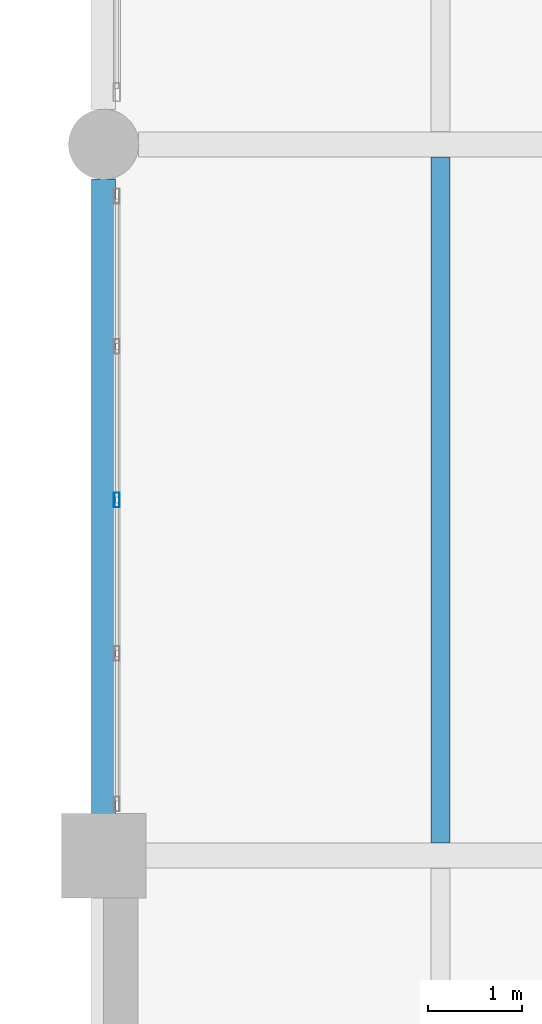
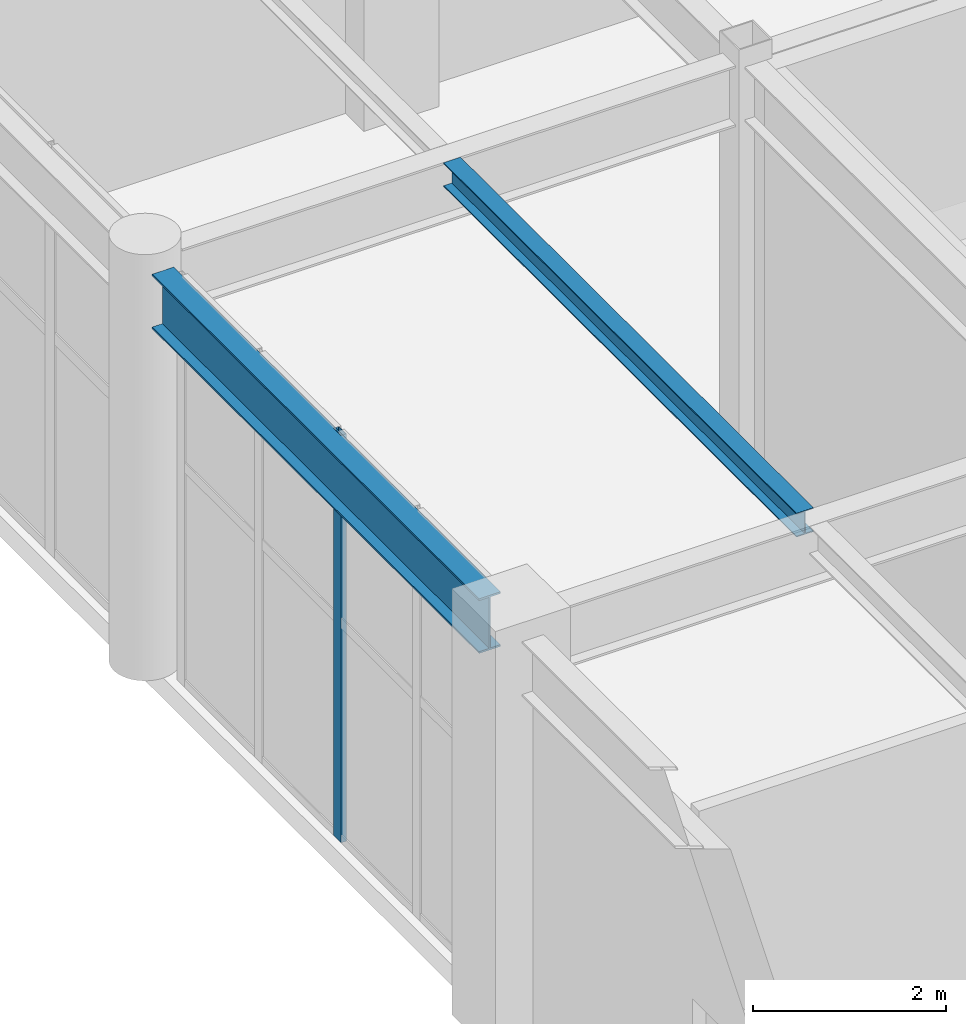
# One storey, part 41 of 139: 2 beams, 1 member, 1 element without a shape of its own.
"""IFC4 building model written with IfcOpenShell, lengths in metres."""

from ifc_helpers import new_model, si_unit, direction, frame, origin, origin_2d, place, context, subcontext, project, spatial, hollow_rectangle, i_section, extrude, material, layer, layer_set, material_profile, profile_set, type_object, element, aggregate, save


model = new_model("IFC4")

# Units and contexts
model_context = context("Model", 3, precision=1e-05, world=origin(), true_north=direction((0.0, 1.0)))
body_context = subcontext(model_context, "Body", "Model", "MODEL_VIEW")
ifc_project = project(units=[si_unit("LENGTHUNIT", "METRE"), si_unit("AREAUNIT", "SQUARE_METRE"), si_unit("VOLUMEUNIT", "CUBIC_METRE"), si_unit("PLANEANGLEUNIT", "RADIAN"), si_unit("MASSUNIT", "GRAM", prefix="KILO")], contexts=[model_context])

# Site, building, storey
site_placement = place(None, origin())
site = spatial("IfcSite", under=ifc_project, at=site_placement, CompositionType="ELEMENT")
building_placement = place(site_placement, origin())
building = spatial("IfcBuilding", under=site, at=building_placement, Name="Xicomal Pleat Aquarium", CompositionType="ELEMENT")
storey_placement = place(building_placement, origin())
storey = spatial("IfcBuildingStorey", under=building, at=storey_placement, Name="L01", CompositionType="ELEMENT", Elevation=0.0)

# Beams
ifc_material_1 = material(Name="Structural steel A992 Gr 50", Category="steel")
ifc_material_profile_1 = material_profile(ifc_material_1, i_section(OverallWidth=0.202880859375, OverallDepth=0.302978515625, WebThickness=0.007568359375, FlangeThickness=0.01318359375, at=origin_2d()), Name="IR 310x60")
ifc_profile_set_1 = profile_set([ifc_material_profile_1], Name="Structural steel A992 Gr 50")
beam_type_1 = type_object("IfcBeamType", Name="BM-STL-IR310", PredefinedType="JOIST", material=ifc_profile_set_1)
beam_1_placement = place(storey_placement, frame((6.60009765625, 68.537109375, 5.008544921875), z_axis=(0.0, 1.0, 0.0), x_axis=(-1.0, 0.0, 0.0)))
element("IfcBeam", 1, at=beam_1_placement, inside=storey, type_object=beam_type_1, Name="L01 framing beam FBJ-L01-01-K-1", PredefinedType="JOIST", context=body_context, shape_type="SweptSolid", body=[
    extrude(i_section(OverallWidth=0.202880859375, OverallDepth=0.302978515625, WebThickness=0.007568359375, FlangeThickness=0.01318359375, at=origin_2d()), origin(), (0.0, 0.0, 1.0), 7.325927734375),
])
ifc_material_2 = material(Name="Structural steel A992 Gr 50", Category="steel")
ifc_material_profile_2 = material_profile(ifc_material_2, i_section(OverallWidth=0.256103515625, OverallDepth=0.693115234375, WebThickness=0.014404296875, FlangeThickness=0.023681640625, at=origin_2d()), Name="IR 690x170")
ifc_profile_set_2 = profile_set([ifc_material_profile_2], Name="Structural steel A992 Gr 50")
beam_type_2 = type_object("IfcBeamType", Name="BM-STL-IR690", PredefinedType="BEAM", material=ifc_profile_set_2)
beam_2_placement = place(storey_placement, frame((3.0, 68.844970703125, 4.8134765625), z_axis=(0.0, 1.0, 0.0), x_axis=(-1.0, 0.0, 0.0)))
element("IfcBeam", 2, at=beam_2_placement, inside=storey, type_object=beam_type_2, Name="L01 framing beam FGY-L01-01-K-L", PredefinedType="BEAM", context=body_context, shape_type="SweptSolid", body=[
    extrude(i_section(OverallWidth=0.256103515625, OverallDepth=0.693115234375, WebThickness=0.014404296875, FlangeThickness=0.023681640625, at=origin_2d()), origin(), (0.0, 0.0, 1.0), 6.784912109375),
])

# Curtain wall, member
ifc_material_3 = material(Name="Bronze anodized aluminium 6063-T6", Category="aluminium")
ifc_layer = layer(ifc_material_3, 0.159912109375)
ifc_layer_set = layer_set([ifc_layer], Name="Bronze anodized aluminium 6063-T6")
curtain_wall_type = type_object("IfcCurtainWallType", Name="CW-SYS-01", PredefinedType="NOTDEFINED", material=ifc_layer_set)
curtain_wall_placement = place(storey_placement, origin())
curtain_wall = element("IfcCurtainWall", 3, at=curtain_wall_placement, inside=storey, type_object=curtain_wall_type, Name="L01 unitised curtain wall CW-L01-009", PredefinedType="NOTDEFINED")
ifc_material_4 = material(Name="Bronze anodized aluminium 6063-T6", Category="aluminium")
ifc_material_profile_3 = material_profile(ifc_material_4, hollow_rectangle(XDim=0.06494140625, YDim=0.159912109375, WallThickness=0.00390625, at=origin_2d()), Name="ALU MULL 65x160")
ifc_profile_set_3 = profile_set([ifc_material_profile_3], Name="Bronze anodized aluminium 6063-T6")
member_type = type_object("IfcMemberType", Name="CWM-65x160", PredefinedType="MULLION", material=ifc_profile_set_3)
member_placement = place(storey_placement, frame((3.139892578125, 72.199951171875, 0.0), z_axis=(0.0, 0.0, 1.0), x_axis=(-1.0, 0.0, 0.0)))
member = element("IfcMember", 4, at=member_placement, type_object=member_type, Name="CW-01 mullion 3", PredefinedType="MULLION", context=body_context, shape_type="SweptSolid", body=[
    extrude(hollow_rectangle(XDim=0.06494140625, YDim=0.159912109375, WallThickness=0.00390625, at=origin_2d()), origin(), (0.0, 0.0, 1.0), 5.159912109375),
])
aggregate(curtain_wall, [member])

save(model, "model.ifc")
